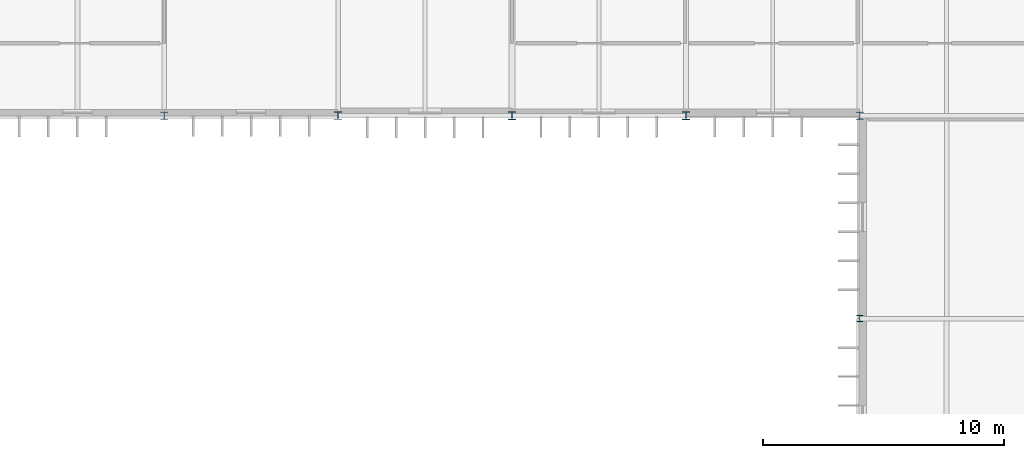
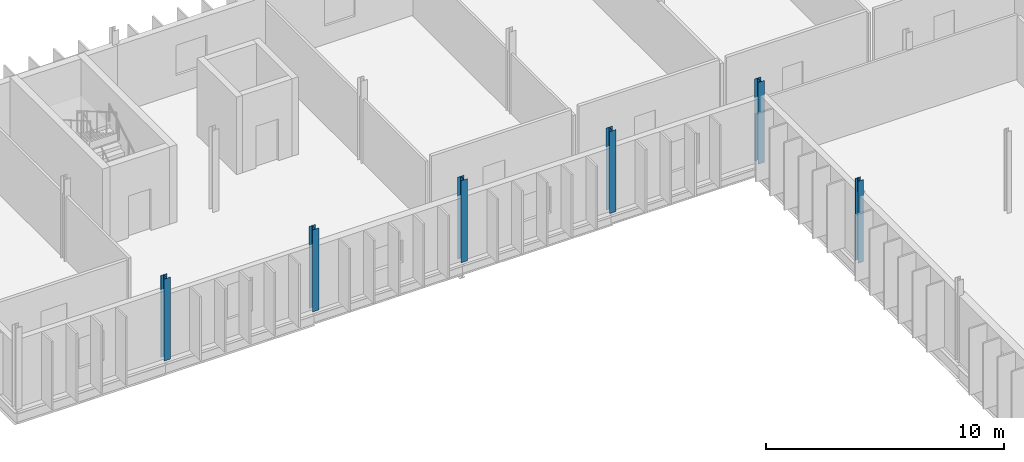
# One storey, part 11 of 61: 6 columns.
"""IFC4 building model written with IfcOpenShell, lengths in metres."""

import ifcopenshell
import ifcopenshell.guid

model = None  # the IFC model being written
_history = None  # IfcOwnerHistory: only IFC2X3 demands one
_inside = {}  # id of a spatial element -> (the spatial element, [elements in it])
_under = {}  # id of a project, library or spatial element -> (it, [spatial elements below it])
_declared = {}  # id of a project -> (the project, [libraries it declares])
_typed = {}  # id of a type object -> (the type object, [elements of that type])
_made_of = {}  # id of a material, layer set ... -> (it, [elements and type objects made of it])


def new_model(schema):
    """Start an empty IFC model of exactly this schema.

    Asked for "IFC4X3", IfcOpenShell would pick the latest addendum, in which some entities
    have other attributes; the version numbers below select the first issue.
    IFC2X3 requires an IfcOwnerHistory on every rooted entity: one is made here for all.
    """
    global model, _history
    if schema == "IFC4X3":
        model = ifcopenshell.file(schema_version=(4, 3, 0, 0))
    else:
        model = ifcopenshell.file(schema=schema)
    _inside.clear()
    _under.clear()
    _declared.clear()
    _typed.clear()
    _made_of.clear()
    _history = None
    if model.schema == "IFC2X3":
        org = make("IfcOrganization", Name="unknown")
        user = make(
            "IfcPersonAndOrganization",
            ThePerson=make("IfcPerson", FamilyName="unknown"),
            TheOrganization=org,
        )
        app = make(
            "IfcApplication",
            ApplicationDeveloper=org,
            Version="unknown",
            ApplicationFullName="unknown",
            ApplicationIdentifier="unknown",
        )
        _history = make(
            "IfcOwnerHistory",
            OwningUser=user,
            OwningApplication=app,
            ChangeAction="ADDED",
            CreationDate=0,
        )
    return model


def make(cls, **values):
    """One entity of the class cls with the attributes given. An attribute that is None is left unset."""
    return model.create_entity(
        cls, **{name: value for name, value in values.items() if value is not None}
    )


def rooted(cls, **values):
    """An entity with a GlobalId (a new one), such as an element, a storey or a relation."""
    return make(cls, GlobalId=ifcopenshell.guid.new(), OwnerHistory=_history, **values)


def si_unit(unit_type, name, prefix=None):
    """IfcSIUnit, for example si_unit("LENGTHUNIT", "METRE", prefix="MILLI")."""
    return make("IfcSIUnit", UnitType=unit_type, Prefix=prefix, Name=name)


def assignment(units):
    """IfcUnitAssignment: the units of a project."""
    return None if units is None else make("IfcUnitAssignment", Units=units)


def point(xyz):
    """IfcCartesianPoint."""
    return None if xyz is None else make("IfcCartesianPoint", Coordinates=xyz)


def direction(xyz):
    """IfcDirection."""
    return None if xyz is None else make("IfcDirection", DirectionRatios=xyz)


def frame(location, z_axis=None, x_axis=None):
    """IfcAxis2Placement3D, a coordinate frame: its origin and axes. An axis left out is left unset."""
    return make(
        "IfcAxis2Placement3D",
        Location=point(location),
        Axis=direction(z_axis),
        RefDirection=direction(x_axis),
    )


def frame_2d(location, x_axis=None):
    """IfcAxis2Placement2D, a coordinate frame in the plane: its origin and x axis."""
    return make(
        "IfcAxis2Placement2D", Location=point(location), RefDirection=direction(x_axis)
    )


def origin():
    """The frame at (0, 0, 0) with its axes left unset."""
    return frame((0.0, 0.0, 0.0))


def origin_2d():
    """The frame at (0, 0) in the plane with its x axis left unset."""
    return frame_2d((0.0, 0.0))


def place(relative_to, where):
    """IfcLocalPlacement: puts the frame where relative to a parent placement (None: the world)."""
    return make(
        "IfcLocalPlacement", PlacementRelTo=relative_to, RelativePlacement=where
    )


def context(
    kind, dimensions, precision=None, world=None, true_north=None, identifier=None
):
    """IfcGeometricRepresentationContext, for example the 3D "Model" context."""
    return make(
        "IfcGeometricRepresentationContext",
        ContextIdentifier=identifier,
        ContextType=kind,
        CoordinateSpaceDimension=dimensions,
        Precision=precision,
        WorldCoordinateSystem=world,
        TrueNorth=true_north,
    )


def subcontext(parent, identifier, kind, view, scale=None):
    """IfcGeometricRepresentationSubContext, for example "Body" below "Model"."""
    return make(
        "IfcGeometricRepresentationSubContext",
        ContextIdentifier=identifier,
        ContextType=kind,
        ParentContext=parent,
        TargetScale=scale,
        TargetView=view,
    )


def project(units=None, contexts=None):
    """IfcProject with its units and contexts."""
    return rooted(
        "IfcProject",
        Name="project",
        RepresentationContexts=contexts,
        UnitsInContext=assignment(units),
    )


def spatial(cls, under=None, at=None, **own):
    """A site, building, storey or space (cls), placed at a placement, below another one or the project."""
    s = rooted(cls, ObjectPlacement=at, **own)
    if under is not None:
        _under.setdefault(under.id(), (under, []))[1].append(s)
    return s


def profile(cls, at=None, kind="AREA", **sizes):
    """A parametric profile (cls). Its sizes go by their IFC names, for example OverallWidth=200.0."""
    return make(cls, ProfileType=kind, Position=at, **sizes)


def i_section(**sizes):
    """IfcIShapeProfileDef."""
    return profile("IfcIShapeProfileDef", **sizes)


def extrude(swept, where, along, depth):
    """IfcExtrudedAreaSolid: the profile swept, set in the frame where, extruded along a direction by depth."""
    return make(
        "IfcExtrudedAreaSolid",
        SweptArea=swept,
        Position=where,
        ExtrudedDirection=direction(along),
        Depth=depth,
    )


def shape(context_of_items, identifier, shape_type, items):
    """IfcShapeRepresentation: the items that make up one representation, for example the "Body"."""
    return make(
        "IfcShapeRepresentation",
        ContextOfItems=context_of_items,
        RepresentationIdentifier=identifier,
        RepresentationType=shape_type,
        Items=items,
    )


def material(Name=None, Category=None):
    """IfcMaterial."""
    return make("IfcMaterial", Name=Name, Category=Category)


def material_profile(
    of_material, cross_section, Name=None, Category=None, Priority=None
):
    """IfcMaterialProfile: a cross section and its material."""
    return make(
        "IfcMaterialProfile",
        Name=Name,
        Material=of_material,
        Profile=cross_section,
        Priority=Priority,
        Category=Category,
    )


def profile_set(profiles, Name=None, composite=None):
    """IfcMaterialProfileSet."""
    return make(
        "IfcMaterialProfileSet",
        Name=Name,
        MaterialProfiles=profiles,
        CompositeProfile=composite,
    )


def made_of(thing, what):
    """Note that an element or type object is made of a material, layer set ...; save() writes the relation."""
    if what is not None:
        _made_of.setdefault(what.id(), (what, []))[1].append(thing)
    return thing


def type_object(cls, material=None, **own):
    """A type object (cls), such as IfcWallType, which elements share."""
    return made_of(rooted(cls, **own), material)


def element(
    cls,
    number,
    at=None,
    inside=None,
    cuts=None,
    type_object=None,
    material=None,
    context=None,
    identifier="Body",
    shape_type=None,
    held_by="IfcProductDefinitionShape",
    body=None,
    shapes=None,
    **own,
):
    """One element of the class cls, such as IfcWall. Its Tag is "e" and its number.

    at: its placement. inside: the storey or other place that contains it. cuts: it is an
    opening in that element (IfcRelVoidsElement). A single representation is given by context,
    identifier, shape_type and body (its items); several are given by shapes. held_by: the class
    of the entity that holds the representations. save() writes the other relations.
    """
    e = rooted(cls, Tag="e%d" % number, ObjectPlacement=at, **own)
    if body is not None:
        shapes = [shape(context, identifier, shape_type, body)]
    if shapes is not None:
        e.Representation = make(held_by, Representations=shapes)
    if inside is not None:
        _inside.setdefault(inside.id(), (inside, []))[1].append(e)
    if cuts is not None:
        rooted(
            "IfcRelVoidsElement", RelatingBuildingElement=cuts, RelatedOpeningElement=e
        )
    if type_object is not None:
        _typed.setdefault(type_object.id(), (type_object, []))[1].append(e)
    return made_of(e, material)


def aggregate(whole, parts):
    """IfcRelAggregates: a whole, such as a stair, and the parts it consists of."""
    return rooted("IfcRelAggregates", RelatingObject=whole, RelatedObjects=parts)


def save(model, path):
    """Write the relations noted so far, then the file.

    IfcRelAggregates (storeys below a building ...), IfcRelContainedInSpatialStructure (elements
    in a storey), IfcRelDefinesByType, IfcRelAssociatesMaterial and IfcRelDeclares: one each for
    every whole, place, type object, material and project.
    """
    for whole, parts in _under.values():
        aggregate(whole, parts)
    for where, things in _inside.values():
        rooted(
            "IfcRelContainedInSpatialStructure",
            RelatedElements=things,
            RelatingStructure=where,
        )
    for kind, things in _typed.values():
        rooted("IfcRelDefinesByType", RelatedObjects=things, RelatingType=kind)
    for what, things in _made_of.values():
        rooted("IfcRelAssociatesMaterial", RelatedObjects=things, RelatingMaterial=what)
    for by, libraries in _declared.values():
        rooted("IfcRelDeclares", RelatingContext=by, RelatedDefinitions=libraries)
    model.write(path)


model = new_model("IFC4")

# Units and contexts
model_context = context("Model", 3, precision=1e-05, world=origin(), true_north=direction((0.0, 1.0)))
body_context = subcontext(model_context, "Body", "Model", "MODEL_VIEW")
ifc_project = project(units=[si_unit("LENGTHUNIT", "METRE"), si_unit("AREAUNIT", "SQUARE_METRE"), si_unit("VOLUMEUNIT", "CUBIC_METRE"), si_unit("PLANEANGLEUNIT", "RADIAN"), si_unit("MASSUNIT", "GRAM", prefix="KILO")], contexts=[model_context])

# Site, building, storey
site_placement = place(None, origin())
site = spatial("IfcSite", under=ifc_project, at=site_placement, CompositionType="ELEMENT")
building_placement = place(site_placement, origin())
building = spatial("IfcBuilding", under=site, at=building_placement, Name="Qelthora Terrace Specialist Clinic", CompositionType="ELEMENT")
storey_placement = place(building_placement, frame((0.0, 0.0, 13.199951171875)))
storey = spatial("IfcBuildingStorey", under=building, at=storey_placement, Name="L03", CompositionType="ELEMENT", Elevation=13.199951171875)

# Columns
ifc_material = material(Name="Steel S355", Category="steel")
ifc_material_profile_1 = material_profile(ifc_material, i_section(OverallWidth=0.2548828125, OverallDepth=0.256103515625, WebThickness=0.009521484375, FlangeThickness=0.015625, FilletRadius=0.012939453125, at=origin_2d()), Name="W250X80")
ifc_profile_set_1 = profile_set([ifc_material_profile_1], Name="Steel S355")
column_type_1 = type_object("IfcColumnType", Name="COL-W250X80", PredefinedType="COLUMN", material=ifc_profile_set_1)
column_1_placement = place(storey_placement, frame((93.60009765625, 84.0, 0.0), z_axis=(0.0, 0.0, 1.0), x_axis=(1.0, 0.0, 0.0)))
element("IfcColumn", 1, at=column_1_placement, inside=storey, type_object=column_type_1, Name="Column L03-157", PredefinedType="COLUMN", context=body_context, shape_type="SweptSolid", body=[
    extrude(i_section(OverallWidth=0.2548828125, OverallDepth=0.256103515625, WebThickness=0.009521484375, FlangeThickness=0.015625, FilletRadius=0.012939453125, at=origin_2d()), origin(), (0.0, 0.0, 1.0), 4.199951171875),
])
ifc_material_profile_2 = material_profile(ifc_material, i_section(OverallWidth=0.305908203125, OverallDepth=0.31103515625, WebThickness=0.010986328125, FlangeThickness=0.01708984375, FilletRadius=0.014892578125, at=origin_2d()), Name="W310X107")
ifc_profile_set_2 = profile_set([ifc_material_profile_2], Name="Steel S355")
column_type_2 = type_object("IfcColumnType", Name="COL-W310X107", PredefinedType="COLUMN", material=ifc_profile_set_2)
column_2_placement = place(storey_placement, frame((72.0, 92.39990234375, 0.0), z_axis=(0.0, 0.0, 1.0), x_axis=(1.0, 0.0, 0.0)))
element("IfcColumn", 2, at=column_2_placement, inside=storey, type_object=column_type_2, Name="Column L03-127", PredefinedType="COLUMN", context=body_context, shape_type="SweptSolid", body=[
    extrude(i_section(OverallWidth=0.305908203125, OverallDepth=0.31103515625, WebThickness=0.010986328125, FlangeThickness=0.01708984375, FilletRadius=0.014892578125, at=origin_2d()), origin(), (0.0, 0.0, 1.0), 4.199951171875),
])
ifc_material_profile_3 = material_profile(ifc_material, i_section(OverallWidth=0.306884765625, OverallDepth=0.31396484375, WebThickness=0.011962890625, FlangeThickness=0.018798828125, FilletRadius=0.01611328125, at=origin_2d()), Name="W310X118")
ifc_profile_set_3 = profile_set([ifc_material_profile_3], Name="Steel S355")
column_type_3 = type_object("IfcColumnType", Name="COL-W310X118", PredefinedType="COLUMN", material=ifc_profile_set_3)
for number, where, z_axis, x_axis, name in (
    (3, (79.199951171875, 92.39990234375, 0.0), (0.0, 0.0, 1.0), (1.0, 0.0, 0.0), "Column L03-135"),
    (4, (86.39990234375, 92.39990234375, 0.0), (0.0, 0.0, 1.0), (1.0, 0.0, 0.0), "Column L03-144"),
):
    element("IfcColumn", number, at=place(storey_placement, frame(where, z_axis=z_axis, x_axis=x_axis)), inside=storey, type_object=column_type_3, Name=name, PredefinedType="COLUMN", context=body_context, shape_type="SweptSolid", body=[
        extrude(i_section(OverallWidth=0.306884765625, OverallDepth=0.31396484375, WebThickness=0.011962890625, FlangeThickness=0.018798828125, FilletRadius=0.01611328125, at=origin_2d()), origin(), (0.0, 0.0, 1.0), 4.199951171875),
    ])
ifc_material_profile_4 = material_profile(ifc_material, i_section(OverallWidth=0.304931640625, OverallDepth=0.30810546875, WebThickness=0.010009765625, FlangeThickness=0.015380859375, FilletRadius=0.014892578125, at=origin_2d()), Name="W310X97")
ifc_profile_set_4 = profile_set([ifc_material_profile_4], Name="Steel S355")
column_type_4 = type_object("IfcColumnType", Name="COL-W310X97", PredefinedType="COLUMN", material=ifc_profile_set_4)
for number, where, z_axis, x_axis, name in (
    (5, (64.800048828125, 92.39990234375, 0.0), (0.0, 0.0, 1.0), (1.0, 0.0, 0.0), "Column L03-119"),
    (6, (93.60009765625, 92.39990234375, 0.0), (0.0, 0.0, 1.0), (1.0, 0.0, 0.0), "Column L03-158"),
):
    element("IfcColumn", number, at=place(storey_placement, frame(where, z_axis=z_axis, x_axis=x_axis)), inside=storey, type_object=column_type_4, Name=name, PredefinedType="COLUMN", context=body_context, shape_type="SweptSolid", body=[
        extrude(i_section(OverallWidth=0.304931640625, OverallDepth=0.30810546875, WebThickness=0.010009765625, FlangeThickness=0.015380859375, FilletRadius=0.014892578125, at=origin_2d()), origin(), (0.0, 0.0, 1.0), 4.199951171875),
    ])

save(model, "model.ifc")
